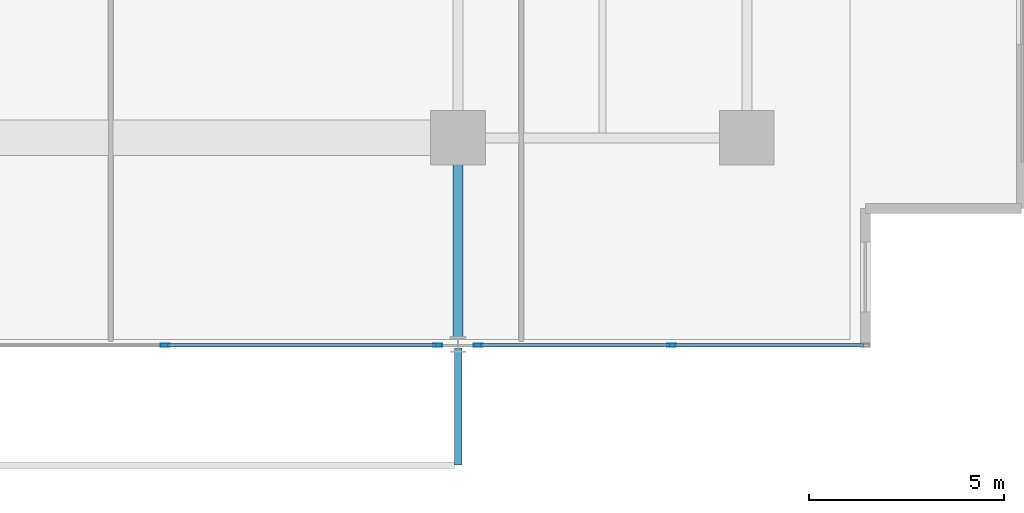
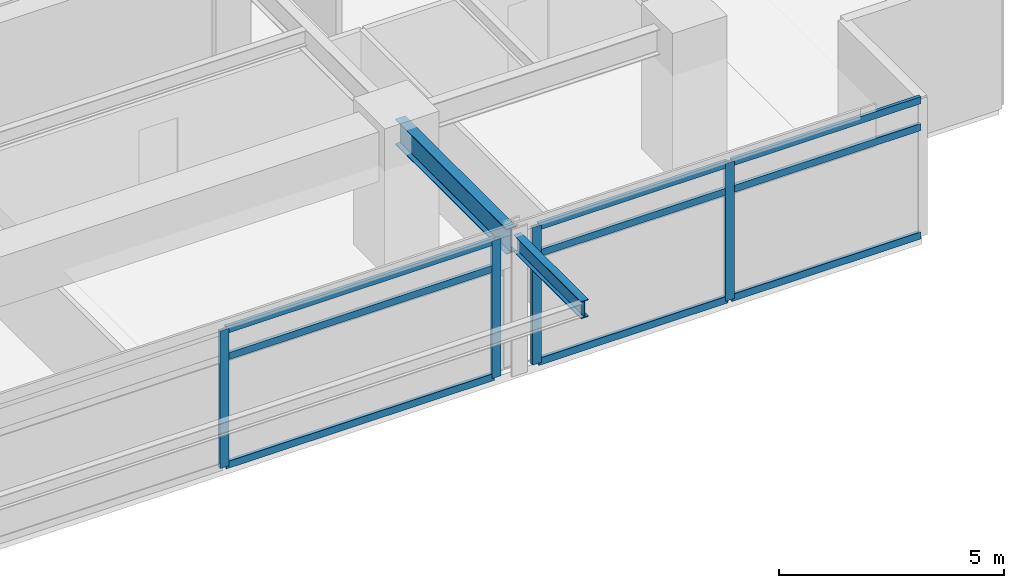
# One storey, part 9 of 21: 13 members, 2 beams, 2 elements without a shape of their own.
"""IFC4 building model written with IfcOpenShell, lengths in metres."""

import ifcopenshell
import ifcopenshell.guid

model = None  # the IFC model being written
_history = None  # IfcOwnerHistory: only IFC2X3 demands one
_inside = {}  # id of a spatial element -> (the spatial element, [elements in it])
_under = {}  # id of a project, library or spatial element -> (it, [spatial elements below it])
_declared = {}  # id of a project -> (the project, [libraries it declares])
_typed = {}  # id of a type object -> (the type object, [elements of that type])
_made_of = {}  # id of a material, layer set ... -> (it, [elements and type objects made of it])


def new_model(schema):
    """Start an empty IFC model of exactly this schema.

    Asked for "IFC4X3", IfcOpenShell would pick the latest addendum, in which some entities
    have other attributes; the version numbers below select the first issue.
    IFC2X3 requires an IfcOwnerHistory on every rooted entity: one is made here for all.
    """
    global model, _history
    if schema == "IFC4X3":
        model = ifcopenshell.file(schema_version=(4, 3, 0, 0))
    else:
        model = ifcopenshell.file(schema=schema)
    _inside.clear()
    _under.clear()
    _declared.clear()
    _typed.clear()
    _made_of.clear()
    _history = None
    if model.schema == "IFC2X3":
        org = make("IfcOrganization", Name="unknown")
        user = make(
            "IfcPersonAndOrganization",
            ThePerson=make("IfcPerson", FamilyName="unknown"),
            TheOrganization=org,
        )
        app = make(
            "IfcApplication",
            ApplicationDeveloper=org,
            Version="unknown",
            ApplicationFullName="unknown",
            ApplicationIdentifier="unknown",
        )
        _history = make(
            "IfcOwnerHistory",
            OwningUser=user,
            OwningApplication=app,
            ChangeAction="ADDED",
            CreationDate=0,
        )
    return model


def make(cls, **values):
    """One entity of the class cls with the attributes given. An attribute that is None is left unset."""
    return model.create_entity(
        cls, **{name: value for name, value in values.items() if value is not None}
    )


def rooted(cls, **values):
    """An entity with a GlobalId (a new one), such as an element, a storey or a relation."""
    return make(cls, GlobalId=ifcopenshell.guid.new(), OwnerHistory=_history, **values)


def si_unit(unit_type, name, prefix=None):
    """IfcSIUnit, for example si_unit("LENGTHUNIT", "METRE", prefix="MILLI")."""
    return make("IfcSIUnit", UnitType=unit_type, Prefix=prefix, Name=name)


def assignment(units):
    """IfcUnitAssignment: the units of a project."""
    return None if units is None else make("IfcUnitAssignment", Units=units)


def point(xyz):
    """IfcCartesianPoint."""
    return None if xyz is None else make("IfcCartesianPoint", Coordinates=xyz)


def direction(xyz):
    """IfcDirection."""
    return None if xyz is None else make("IfcDirection", DirectionRatios=xyz)


def frame(location, z_axis=None, x_axis=None):
    """IfcAxis2Placement3D, a coordinate frame: its origin and axes. An axis left out is left unset."""
    return make(
        "IfcAxis2Placement3D",
        Location=point(location),
        Axis=direction(z_axis),
        RefDirection=direction(x_axis),
    )


def frame_2d(location, x_axis=None):
    """IfcAxis2Placement2D, a coordinate frame in the plane: its origin and x axis."""
    return make(
        "IfcAxis2Placement2D", Location=point(location), RefDirection=direction(x_axis)
    )


def origin():
    """The frame at (0, 0, 0) with its axes left unset."""
    return frame((0.0, 0.0, 0.0))


def origin_2d():
    """The frame at (0, 0) in the plane with its x axis left unset."""
    return frame_2d((0.0, 0.0))


def place(relative_to, where):
    """IfcLocalPlacement: puts the frame where relative to a parent placement (None: the world)."""
    return make(
        "IfcLocalPlacement", PlacementRelTo=relative_to, RelativePlacement=where
    )


def context(
    kind, dimensions, precision=None, world=None, true_north=None, identifier=None
):
    """IfcGeometricRepresentationContext, for example the 3D "Model" context."""
    return make(
        "IfcGeometricRepresentationContext",
        ContextIdentifier=identifier,
        ContextType=kind,
        CoordinateSpaceDimension=dimensions,
        Precision=precision,
        WorldCoordinateSystem=world,
        TrueNorth=true_north,
    )


def subcontext(parent, identifier, kind, view, scale=None):
    """IfcGeometricRepresentationSubContext, for example "Body" below "Model"."""
    return make(
        "IfcGeometricRepresentationSubContext",
        ContextIdentifier=identifier,
        ContextType=kind,
        ParentContext=parent,
        TargetScale=scale,
        TargetView=view,
    )


def project(units=None, contexts=None):
    """IfcProject with its units and contexts."""
    return rooted(
        "IfcProject",
        Name="project",
        RepresentationContexts=contexts,
        UnitsInContext=assignment(units),
    )


def spatial(cls, under=None, at=None, **own):
    """A site, building, storey or space (cls), placed at a placement, below another one or the project."""
    s = rooted(cls, ObjectPlacement=at, **own)
    if under is not None:
        _under.setdefault(under.id(), (under, []))[1].append(s)
    return s


def profile(cls, at=None, kind="AREA", **sizes):
    """A parametric profile (cls). Its sizes go by their IFC names, for example OverallWidth=200.0."""
    return make(cls, ProfileType=kind, Position=at, **sizes)


def hollow_rectangle(**sizes):
    """IfcRectangleHollowProfileDef."""
    return profile("IfcRectangleHollowProfileDef", **sizes)


def i_section(**sizes):
    """IfcIShapeProfileDef."""
    return profile("IfcIShapeProfileDef", **sizes)


def extrude(swept, where, along, depth):
    """IfcExtrudedAreaSolid: the profile swept, set in the frame where, extruded along a direction by depth."""
    return make(
        "IfcExtrudedAreaSolid",
        SweptArea=swept,
        Position=where,
        ExtrudedDirection=direction(along),
        Depth=depth,
    )


def shape(context_of_items, identifier, shape_type, items):
    """IfcShapeRepresentation: the items that make up one representation, for example the "Body"."""
    return make(
        "IfcShapeRepresentation",
        ContextOfItems=context_of_items,
        RepresentationIdentifier=identifier,
        RepresentationType=shape_type,
        Items=items,
    )


def material(Name=None, Category=None):
    """IfcMaterial."""
    return make("IfcMaterial", Name=Name, Category=Category)


def material_profile(
    of_material, cross_section, Name=None, Category=None, Priority=None
):
    """IfcMaterialProfile: a cross section and its material."""
    return make(
        "IfcMaterialProfile",
        Name=Name,
        Material=of_material,
        Profile=cross_section,
        Priority=Priority,
        Category=Category,
    )


def profile_set(profiles, Name=None, composite=None):
    """IfcMaterialProfileSet."""
    return make(
        "IfcMaterialProfileSet",
        Name=Name,
        MaterialProfiles=profiles,
        CompositeProfile=composite,
    )


def made_of(thing, what):
    """Note that an element or type object is made of a material, layer set ...; save() writes the relation."""
    if what is not None:
        _made_of.setdefault(what.id(), (what, []))[1].append(thing)
    return thing


def type_object(cls, material=None, **own):
    """A type object (cls), such as IfcWallType, which elements share."""
    return made_of(rooted(cls, **own), material)


def element(
    cls,
    number,
    at=None,
    inside=None,
    cuts=None,
    type_object=None,
    material=None,
    context=None,
    identifier="Body",
    shape_type=None,
    held_by="IfcProductDefinitionShape",
    body=None,
    shapes=None,
    **own,
):
    """One element of the class cls, such as IfcWall. Its Tag is "e" and its number.

    at: its placement. inside: the storey or other place that contains it. cuts: it is an
    opening in that element (IfcRelVoidsElement). A single representation is given by context,
    identifier, shape_type and body (its items); several are given by shapes. held_by: the class
    of the entity that holds the representations. save() writes the other relations.
    """
    e = rooted(cls, Tag="e%d" % number, ObjectPlacement=at, **own)
    if body is not None:
        shapes = [shape(context, identifier, shape_type, body)]
    if shapes is not None:
        e.Representation = make(held_by, Representations=shapes)
    if inside is not None:
        _inside.setdefault(inside.id(), (inside, []))[1].append(e)
    if cuts is not None:
        rooted(
            "IfcRelVoidsElement", RelatingBuildingElement=cuts, RelatedOpeningElement=e
        )
    if type_object is not None:
        _typed.setdefault(type_object.id(), (type_object, []))[1].append(e)
    return made_of(e, material)


def aggregate(whole, parts):
    """IfcRelAggregates: a whole, such as a stair, and the parts it consists of."""
    return rooted("IfcRelAggregates", RelatingObject=whole, RelatedObjects=parts)


def save(model, path):
    """Write the relations noted so far, then the file.

    IfcRelAggregates (storeys below a building ...), IfcRelContainedInSpatialStructure (elements
    in a storey), IfcRelDefinesByType, IfcRelAssociatesMaterial and IfcRelDeclares: one each for
    every whole, place, type object, material and project.
    """
    for whole, parts in _under.values():
        aggregate(whole, parts)
    for where, things in _inside.values():
        rooted(
            "IfcRelContainedInSpatialStructure",
            RelatedElements=things,
            RelatingStructure=where,
        )
    for kind, things in _typed.values():
        rooted("IfcRelDefinesByType", RelatedObjects=things, RelatingType=kind)
    for what, things in _made_of.values():
        rooted("IfcRelAssociatesMaterial", RelatedObjects=things, RelatingMaterial=what)
    for by, libraries in _declared.values():
        rooted("IfcRelDeclares", RelatingContext=by, RelatedDefinitions=libraries)
    model.write(path)


model = new_model("IFC4")

# Units and contexts
model_context = context("Model", 3, precision=1e-05, world=origin(), true_north=direction((0.0, 1.0)))
body_context = subcontext(model_context, "Body", "Model", "MODEL_VIEW")
ifc_project = project(units=[si_unit("LENGTHUNIT", "METRE"), si_unit("AREAUNIT", "SQUARE_METRE"), si_unit("VOLUMEUNIT", "CUBIC_METRE"), si_unit("PLANEANGLEUNIT", "RADIAN"), si_unit("MASSUNIT", "GRAM", prefix="KILO")], contexts=[model_context])

# Site, building, storey
site_placement = place(None, origin())
site = spatial("IfcSite", under=ifc_project, at=site_placement, CompositionType="ELEMENT")
building_placement = place(site_placement, origin())
building = spatial("IfcBuilding", under=site, at=building_placement, Name="Kovane Verandah Tower", CompositionType="ELEMENT")
storey_placement = place(building_placement, frame((0.0, 0.0, 217.199951171875)))
storey = spatial("IfcBuildingStorey", under=building, at=storey_placement, Name="L50", CompositionType="ELEMENT", Elevation=217.199951171875)

# Beam
ifc_material_1 = material(Name="Steel S355", Category="steel")
ifc_material_profile_1 = material_profile(ifc_material_1, i_section(OverallWidth=0.255859375, OverallDepth=0.69287109375, WebThickness=0.014404296875, FlangeThickness=0.023681640625, FilletRadius=0.01513671875, at=origin_2d()), Name="UB686x254x170")
ifc_profile_set_1 = profile_set([ifc_material_profile_1], Name="Steel S355")
beam_type_1 = type_object("IfcBeamType", Name="BM-UB686x170", PredefinedType="BEAM", material=ifc_profile_set_1)
beam_1_placement = place(storey_placement, frame((51.0, 10.6201171875, 3.41357421875), z_axis=(0.0, -1.0, 0.0), x_axis=(1.0, 0.0, 0.0)))
element("IfcBeam", 1, at=beam_1_placement, inside=storey, type_object=beam_type_1, Name="L50 Primary Tower Girder G-VS2", PredefinedType="BEAM", context=body_context, shape_type="SweptSolid", body=[
    extrude(i_section(OverallWidth=0.255859375, OverallDepth=0.69287109375, WebThickness=0.014404296875, FlangeThickness=0.023681640625, FilletRadius=0.01513671875, at=origin_2d()), origin(), (0.0, 0.0, 1.0), 4.940185546875),
])

# Curtain wall, members
ifc_material_2 = material(Name="Champagne Anodised Aluminium Frame with Low-E Clear Laminated Glass", Category="aluminium")
curtain_wall_type = type_object("IfcCurtainWallType", Name="CW-SYS-03-MID", PredefinedType="NOTDEFINED", material=ifc_material_2)
curtain_wall_1_placement = place(storey_placement, origin())
curtain_wall_1 = element("IfcCurtainWall", 2, at=curtain_wall_1_placement, inside=storey, type_object=curtain_wall_type, Name="L50 S Unitised Curtain Wall-2", PredefinedType="NOTDEFINED")
ifc_material_3 = material(Name="Champagne Anodised Aluminium 6063-T6", Category="aluminium")
ifc_material_profile_2 = material_profile(ifc_material_3, hollow_rectangle(XDim=0.0849609375, YDim=0.22998046875, WallThickness=0.00390625, at=origin_2d()), Name="AL85x230x4")
ifc_profile_set_2 = profile_set([ifc_material_profile_2], Name="Champagne Anodised Aluminium 6063-T6")
member_type_1 = type_object("IfcMemberType", Name="CW-MUL-85x230", PredefinedType="MULLION", material=ifc_profile_set_2)
member_1_placement = place(storey_placement, frame((43.493408203125, 5.485595703125, 0.02001953125), z_axis=(0.0, 0.0, 1.0), x_axis=(0.0, -1.0, 0.0)))
member_1 = element("IfcMember", 3, at=member_1_placement, type_object=member_type_1, Name="L50 S Unitised Curtain Wall-2 Mullion 3", PredefinedType="MULLION", context=body_context, shape_type="SweptSolid", body=[
    extrude(hollow_rectangle(XDim=0.0849609375, YDim=0.22998046875, WallThickness=0.00390625, at=origin_2d()), origin(), (0.0, 0.0, 1.0), 3.735107421875),
])
member_2_placement = place(storey_placement, frame((50.47998046875, 5.485595703125, 0.02001953125), z_axis=(0.0, 0.0, 1.0), x_axis=(0.0, -1.0, 0.0)))
member_2 = element("IfcMember", 4, at=member_2_placement, type_object=member_type_1, Name="L50 S Unitised Curtain Wall-2 Mullion 4", PredefinedType="MULLION", context=body_context, shape_type="SweptSolid", body=[
    extrude(hollow_rectangle(XDim=0.0849609375, YDim=0.22998046875, WallThickness=0.00390625, at=origin_2d()), origin(), (0.0, 0.0, 1.0), 3.735107421875),
])

curtain_wall_2_placement = place(storey_placement, origin())
curtain_wall_2 = element("IfcCurtainWall", 5, at=curtain_wall_2_placement, inside=storey, type_object=curtain_wall_type, Name="L50 S Unitised Curtain Wall-3", PredefinedType="NOTDEFINED")
member_3_placement = place(storey_placement, frame((51.52001953125, 5.485595703125, 0.02001953125), z_axis=(0.0, 0.0, 1.0), x_axis=(0.0, -1.0, 0.0)))
member_3 = element("IfcMember", 6, at=member_3_placement, type_object=member_type_1, Name="L50 S Unitised Curtain Wall-3 Mullion 1", PredefinedType="MULLION", context=body_context, shape_type="SweptSolid", body=[
    extrude(hollow_rectangle(XDim=0.0849609375, YDim=0.22998046875, WallThickness=0.00390625, at=origin_2d()), origin(), (0.0, 0.0, 1.0), 3.735107421875),
])
member_4_placement = place(storey_placement, frame((56.478759765625, 5.485595703125, 0.02001953125), z_axis=(0.0, 0.0, 1.0), x_axis=(0.0, -1.0, 0.0)))
member_4 = element("IfcMember", 7, at=member_4_placement, type_object=member_type_1, Name="L50 S Unitised Curtain Wall-3 Mullion 2", PredefinedType="MULLION", context=body_context, shape_type="SweptSolid", body=[
    extrude(hollow_rectangle(XDim=0.0849609375, YDim=0.22998046875, WallThickness=0.00390625, at=origin_2d()), origin(), (0.0, 0.0, 1.0), 3.735107421875),
])

# Member
ifc_material_profile_3 = material_profile(ifc_material_3, hollow_rectangle(XDim=0.0849609375, YDim=0.18994140625, WallThickness=0.00390625, at=origin_2d()), Name="AL85x190x4")
ifc_profile_set_3 = profile_set([ifc_material_profile_3], Name="Champagne Anodised Aluminium 6063-T6")
member_type_2 = type_object("IfcMemberType", Name="CW-TRN-85x190", PredefinedType="USERDEFINED", material=ifc_profile_set_3)
member_5_placement = place(storey_placement, frame((43.543212890625, 5.485595703125, 0.050048828125), z_axis=(1.0, 0.0, 0.0), x_axis=(0.0, 1.0, 0.0)))
member_5 = element("IfcMember", 8, at=member_5_placement, type_object=member_type_2, Name="L50 S Unitised Curtain Wall-2 Transom TB Bay 3", ObjectType="TRANSOM", PredefinedType="USERDEFINED", context=body_context, shape_type="SweptSolid", body=[
    extrude(hollow_rectangle(XDim=0.0849609375, YDim=0.18994140625, WallThickness=0.00390625, at=origin_2d()), origin(), (0.0, 0.0, 1.0), 6.88671875),
])

member_6_placement = place(storey_placement, frame((43.543212890625, 5.485595703125, 2.9951171875), z_axis=(1.0, 0.0, 0.0), x_axis=(0.0, 1.0, 0.0)))
member_6 = element("IfcMember", 9, at=member_6_placement, type_object=member_type_2, Name="L50 S Unitised Curtain Wall-2 Transom TM Bay 3", ObjectType="TRANSOM", PredefinedType="USERDEFINED", context=body_context, shape_type="SweptSolid", body=[
    extrude(hollow_rectangle(XDim=0.0849609375, YDim=0.18994140625, WallThickness=0.00390625, at=origin_2d()), origin(), (0.0, 0.0, 1.0), 6.88671875),
])

member_7_placement = place(storey_placement, frame((43.543212890625, 5.485595703125, 3.72509765625), z_axis=(1.0, 0.0, 0.0), x_axis=(0.0, 1.0, 0.0)))
member_7 = element("IfcMember", 10, at=member_7_placement, type_object=member_type_2, Name="L50 S Unitised Curtain Wall-2 Transom TT Bay 3", ObjectType="TRANSOM", PredefinedType="USERDEFINED", context=body_context, shape_type="SweptSolid", body=[
    extrude(hollow_rectangle(XDim=0.0849609375, YDim=0.18994140625, WallThickness=0.00390625, at=origin_2d()), origin(), (0.0, 0.0, 1.0), 6.88671875),
])

aggregate(curtain_wall_1, [member_1, member_2, member_5, member_6, member_7])

member_8_placement = place(storey_placement, frame((51.570068359375, 5.485595703125, 0.050048828125), z_axis=(1.0, 0.0, 0.0), x_axis=(0.0, 1.0, 0.0)))
member_8 = element("IfcMember", 11, at=member_8_placement, type_object=member_type_2, Name="L50 S Unitised Curtain Wall-3 Transom TB Bay 1", ObjectType="TRANSOM", PredefinedType="USERDEFINED", context=body_context, shape_type="SweptSolid", body=[
    extrude(hollow_rectangle(XDim=0.0849609375, YDim=0.18994140625, WallThickness=0.00390625, at=origin_2d()), origin(), (0.0, 0.0, 1.0), 4.858642578125),
])

member_9_placement = place(storey_placement, frame((51.570068359375, 5.485595703125, 2.9951171875), z_axis=(1.0, 0.0, 0.0), x_axis=(0.0, 1.0, 0.0)))
member_9 = element("IfcMember", 12, at=member_9_placement, type_object=member_type_2, Name="L50 S Unitised Curtain Wall-3 Transom TM Bay 1", ObjectType="TRANSOM", PredefinedType="USERDEFINED", context=body_context, shape_type="SweptSolid", body=[
    extrude(hollow_rectangle(XDim=0.0849609375, YDim=0.18994140625, WallThickness=0.00390625, at=origin_2d()), origin(), (0.0, 0.0, 1.0), 4.858642578125),
])

member_10_placement = place(storey_placement, frame((51.570068359375, 5.485595703125, 3.72509765625), z_axis=(1.0, 0.0, 0.0), x_axis=(0.0, 1.0, 0.0)))
member_10 = element("IfcMember", 13, at=member_10_placement, type_object=member_type_2, Name="L50 S Unitised Curtain Wall-3 Transom TT Bay 1", ObjectType="TRANSOM", PredefinedType="USERDEFINED", context=body_context, shape_type="SweptSolid", body=[
    extrude(hollow_rectangle(XDim=0.0849609375, YDim=0.18994140625, WallThickness=0.00390625, at=origin_2d()), origin(), (0.0, 0.0, 1.0), 4.858642578125),
])

member_11_placement = place(storey_placement, frame((56.52880859375, 5.485595703125, 0.050048828125), z_axis=(1.0, 0.0, 0.0), x_axis=(0.0, 1.0, 0.0)))
member_11 = element("IfcMember", 14, at=member_11_placement, type_object=member_type_2, Name="L50 S Unitised Curtain Wall-3 Transom TB Bay 2", ObjectType="TRANSOM", PredefinedType="USERDEFINED", context=body_context, shape_type="SweptSolid", body=[
    extrude(hollow_rectangle(XDim=0.0849609375, YDim=0.18994140625, WallThickness=0.00390625, at=origin_2d()), origin(), (0.0, 0.0, 1.0), 4.858642578125),
])

member_12_placement = place(storey_placement, frame((56.52880859375, 5.485595703125, 2.9951171875), z_axis=(1.0, 0.0, 0.0), x_axis=(0.0, 1.0, 0.0)))
member_12 = element("IfcMember", 15, at=member_12_placement, type_object=member_type_2, Name="L50 S Unitised Curtain Wall-3 Transom TM Bay 2", ObjectType="TRANSOM", PredefinedType="USERDEFINED", context=body_context, shape_type="SweptSolid", body=[
    extrude(hollow_rectangle(XDim=0.0849609375, YDim=0.18994140625, WallThickness=0.00390625, at=origin_2d()), origin(), (0.0, 0.0, 1.0), 4.858642578125),
])

member_13_placement = place(storey_placement, frame((56.52880859375, 5.485595703125, 3.72509765625), z_axis=(1.0, 0.0, 0.0), x_axis=(0.0, 1.0, 0.0)))
member_13 = element("IfcMember", 16, at=member_13_placement, type_object=member_type_2, Name="L50 S Unitised Curtain Wall-3 Transom TT Bay 2", ObjectType="TRANSOM", PredefinedType="USERDEFINED", context=body_context, shape_type="SweptSolid", body=[
    extrude(hollow_rectangle(XDim=0.0849609375, YDim=0.18994140625, WallThickness=0.00390625, at=origin_2d()), origin(), (0.0, 0.0, 1.0), 4.858642578125),
])

aggregate(curtain_wall_2, [member_3, member_4, member_8, member_9, member_10, member_11, member_12, member_13])

# Beam
ifc_material_profile_4 = material_profile(ifc_material_1, i_section(OverallWidth=0.19287109375, OverallDepth=0.46728515625, WebThickness=0.011474609375, FlangeThickness=0.01953125, FilletRadius=0.01025390625, at=origin_2d()), Name="UB457x191x98")
ifc_profile_set_4 = profile_set([ifc_material_profile_4], Name="Steel S355")
beam_type_2 = type_object("IfcBeamType", Name="JST-UB457x98", PredefinedType="JOIST", material=ifc_profile_set_4)
beam_2_placement = place(storey_placement, frame((51.0, 5.419921875, 3.5263671875), z_axis=(0.0, -1.0, 0.0), x_axis=(1.0, 0.0, 0.0)))
element("IfcBeam", 17, at=beam_2_placement, inside=storey, type_object=beam_type_2, Name="L50 South Planter Girder 2", PredefinedType="JOIST", context=body_context, shape_type="SweptSolid", body=[
    extrude(i_section(OverallWidth=0.19287109375, OverallDepth=0.46728515625, WebThickness=0.011474609375, FlangeThickness=0.01953125, FilletRadius=0.01025390625, at=origin_2d()), origin(), (0.0, 0.0, 1.0), 3.01025390625),
])

save(model, "model.ifc")
